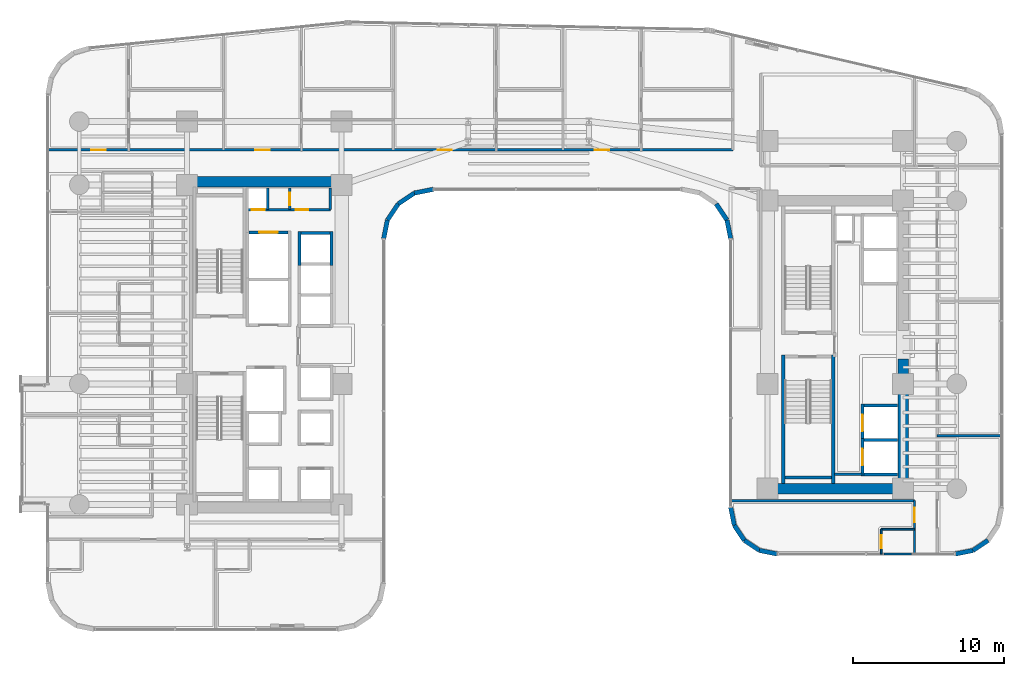
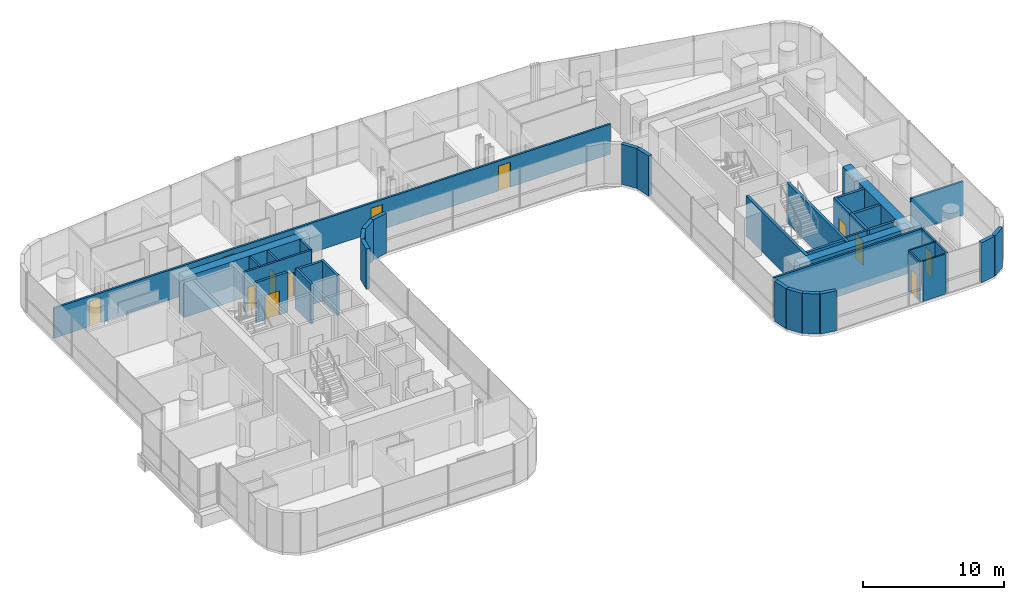
# One storey, part 32 of 41: 39 walls, 12 doors, 12 openings.
"""IFC4 building model written with IfcOpenShell, lengths in metres."""

from ifc_helpers import new_model, si_unit, direction, frame, frame_2d, origin, place, context, subcontext, project, spatial, rectangle, extrude, material, layer, layer_set, type_object, element, fill, save


model = new_model("IFC4")

# Units and contexts
model_context = context("Model", 3, precision=1e-05, world=origin(), true_north=direction((0.0, 1.0)))
body_context = subcontext(model_context, "Body", "Model", "MODEL_VIEW")
ifc_project = project(units=[si_unit("LENGTHUNIT", "METRE"), si_unit("AREAUNIT", "SQUARE_METRE"), si_unit("VOLUMEUNIT", "CUBIC_METRE"), si_unit("PLANEANGLEUNIT", "RADIAN"), si_unit("MASSUNIT", "GRAM", prefix="KILO")], contexts=[model_context])

# Site, building, storey
site_placement = place(None, origin())
site = spatial("IfcSite", under=ifc_project, at=site_placement, CompositionType="ELEMENT")
building_placement = place(site_placement, origin())
building = spatial("IfcBuilding", under=site, at=building_placement, Name="Valdorenza Pilgrim Sanctuary Tower", CompositionType="ELEMENT")
storey_placement = place(building_placement, frame((0.0, 0.0, 59.300048828125)))
storey = spatial("IfcBuildingStorey", under=building, at=storey_placement, Name="L14", CompositionType="ELEMENT", Elevation=59.300048828125)

# Wall, openings, doors
ifc_material_1 = material(Name="Acoustic twin-stud gypsum partition", Category="gypsum")
ifc_layer_1 = layer(ifc_material_1, 0.159912109375, Name="Acoustic twin-stud gypsum partition")
ifc_layer_set_1 = layer_set([ifc_layer_1], Name="Acoustic twin-stud gypsum partition")
wall_type_1 = type_object("IfcWallType", Name="WAL-COR-160", PredefinedType="PARTITIONING", material=ifc_layer_set_1)
wall_1_placement = place(storey_placement, frame((-18.64990234375, 8.949951171875, 0.0), z_axis=(0.0, 0.0, 1.0), x_axis=(1.0, 0.0, 0.0)))
wall_1 = element("IfcWall", 1, at=wall_1_placement, inside=storey, type_object=wall_type_1, Name="L14 Core A North Service South Wall", PredefinedType="PARTITIONING", context=body_context, shape_type="SweptSolid", body=[
    extrude(rectangle(XDim=5.5, YDim=0.159912109375, at=frame_2d((2.75, 0.0))), origin(), (0.0, 0.0, 1.0), 3.4599609375),
])
opening_1_placement = place(wall_1_placement, frame((0.300048828125, 0.0, 0.0)))
opening_1 = element("IfcOpeningElement", 2, at=opening_1_placement, cuts=wall_1, Name="Opening DR-RS1", PredefinedType="OPENING", context=body_context, shape_type="SweptSolid", body=[
    extrude(rectangle(XDim=0.85009765625, YDim=2.050048828125, at=frame_2d((0.425048828125, 1.02490234375))), frame((0.0, 0.0947265625, 0.0), z_axis=(0.0, -1.0, 0.0), x_axis=(1.0, 0.0, 0.0)), (0.0, 0.0, 1.0), 0.189697265625),
])
opening_2_placement = place(wall_1_placement, frame((3.199951171875, 0.0, 0.0)))
opening_2 = element("IfcOpeningElement", 3, at=opening_2_placement, cuts=wall_1, Name="Opening DR-RS1", PredefinedType="OPENING", context=body_context, shape_type="SweptSolid", body=[
    extrude(rectangle(XDim=0.85009765625, YDim=2.050048828125, at=frame_2d((0.425048828125, 1.02490234375))), frame((0.0, 0.0947265625, 0.0), z_axis=(0.0, -1.0, 0.0), x_axis=(1.0, 0.0, 0.0)), (0.0, 0.0, 1.0), 0.189697265625),
])
ifc_material_2 = material(Name="Painted galvanized steel", Category="steel")
door_type_1 = type_object("IfcDoorType", Name="DR-RSR-850", OperationType="NOTDEFINED", PredefinedType="DOOR", material=ifc_material_2)
door_1_placement = place(opening_1_placement, origin())
door_1 = element("IfcDoor", 4, at=door_1_placement, inside=storey, type_object=door_type_1, Name="L14 Core Electrical and Telecom Riser Door", OperationType="SINGLE_SWING_LEFT", OverallHeight=2.050048828125, OverallWidth=0.85009765625, PredefinedType="DOOR", context=body_context, shape_type="SweptSolid", body=[
    extrude(rectangle(XDim=0.85009765625, YDim=2.050048828125, at=frame_2d((0.425048828125, 1.02490234375))), frame((0.0, 0.02490234375, 0.0), z_axis=(0.0, -1.0, 0.0), x_axis=(1.0, 0.0, 0.0)), (0.0, 0.0, 1.0), 0.050048828125),
])
fill(opening_1, door_1)
door_2_placement = place(opening_2_placement, origin())
door_2 = element("IfcDoor", 5, at=door_2_placement, inside=storey, type_object=door_type_1, Name="L14 Housekeeping and Clean Linen Room Door", OperationType="SINGLE_SWING_RIGHT", OverallHeight=2.050048828125, OverallWidth=0.85009765625, PredefinedType="DOOR", context=body_context, shape_type="SweptSolid", body=[
    extrude(rectangle(XDim=0.85009765625, YDim=2.050048828125, at=frame_2d((0.425048828125, 1.02490234375))), frame((0.0, 0.02490234375, 0.0), z_axis=(0.0, -1.0, 0.0), x_axis=(1.0, 0.0, 0.0)), (0.0, 0.0, 1.0), 0.050048828125),
])
fill(opening_2, door_2)

# Walls
for number, where, z_axis, x_axis, name in (
    (6, (-13.14990234375, 8.949951171875, 0.0), (0.0, 0.0, 1.0), (0.0, 1.0, 0.0), "L14 Core A North Service East Wall"),
    (7, (-17.300048828125, 8.949951171875, 0.0), (0.0, 0.0, 1.0), (0.0, 1.0, 0.0), "L14 Core Electrical Riser Wall"),
):
    element("IfcWall", number, at=place(storey_placement, frame(where, z_axis=z_axis, x_axis=x_axis)), inside=storey, type_object=wall_type_1, Name=name, PredefinedType="PARTITIONING", context=body_context, shape_type="SweptSolid", body=[
        extrude(rectangle(XDim=1.429931640625, YDim=0.159912109375, at=frame_2d((0.71484375, 0.0))), origin(), (0.0, 0.0, 1.0), 3.4599609375),
    ])

# Wall, opening, door
wall_2_placement = place(storey_placement, frame((-15.85009765625, 8.949951171875, 0.0), z_axis=(0.0, 0.0, 1.0), x_axis=(0.0, 1.0, 0.0)))
wall_2 = element("IfcWall", 8, at=wall_2_placement, inside=storey, type_object=wall_type_1, Name="L14 Core A Split C", PredefinedType="PARTITIONING", context=body_context, shape_type="SweptSolid", body=[
    extrude(rectangle(XDim=1.429931640625, YDim=0.159912109375, at=frame_2d((0.71484375, 0.0))), origin(), (0.0, 0.0, 1.0), 3.4599609375),
])
opening_3_placement = place(wall_2_placement, frame((0.2900390625, 0.0, 0.0)))
opening_3 = element("IfcOpeningElement", 9, at=opening_3_placement, cuts=wall_2, Name="Opening DR-RS1", PredefinedType="OPENING", context=body_context, shape_type="SweptSolid", body=[
    extrude(rectangle(XDim=0.85009765625, YDim=2.050048828125, at=frame_2d((0.425048828125, 1.02490234375))), frame((0.0, 0.0947265625, 0.0), z_axis=(0.0, -1.0, 0.0), x_axis=(1.0, 0.0, 0.0)), (0.0, 0.0, 1.0), 0.189697265625),
])
door_3_placement = place(opening_3_placement, origin())
door_3 = element("IfcDoor", 10, at=door_3_placement, inside=storey, type_object=door_type_1, Name="L14 Clean Linen Supply Store Door", OperationType="SINGLE_SWING_LEFT", OverallHeight=2.050048828125, OverallWidth=0.85009765625, PredefinedType="DOOR", context=body_context, shape_type="SweptSolid", body=[
    extrude(rectangle(XDim=0.85009765625, YDim=2.050048828125, at=frame_2d((0.425048828125, 1.02490234375))), frame((0.0, 0.02490234375, 0.0), z_axis=(0.0, -1.0, 0.0), x_axis=(1.0, 0.0, 0.0)), (0.0, 0.0, 1.0), 0.050048828125),
])
fill(opening_3, door_3)

# Wall
wall_3_placement = place(storey_placement, frame((20.300048828125, -8.60009765625, 0.0), z_axis=(0.0, 0.0, 1.0), x_axis=(1.0, 0.0, 0.0)))
element("IfcWall", 11, at=wall_3_placement, inside=storey, type_object=wall_type_1, Name="L14 Core B Lift Hall South End Wall", PredefinedType="PARTITIONING", context=body_context, shape_type="SweptSolid", body=[
    extrude(rectangle(XDim=1.820068359375, YDim=0.159912109375, at=frame_2d((0.91015625, 0.0))), origin(), (0.0, 0.0, 1.0), 3.4599609375),
])

# Wall, openings, doors
wall_4_placement = place(storey_placement, frame((-31.889892578125, 12.919921875, 0.0), z_axis=(0.0, 0.0, 1.0), x_axis=(1.0, 0.0, 0.0)))
wall_4 = element("IfcWall", 12, at=wall_4_placement, inside=storey, type_object=wall_type_1, Name="L14 North Corridor Wall", PredefinedType="PARTITIONING", context=body_context, shape_type="SweptSolid", body=[
    extrude(rectangle(XDim=45.43994140625, YDim=0.159912109375, at=frame_2d((22.719970703125, 0.0))), origin(), (0.0, 0.0, 1.0), 2.5830078125),
])
opening_4_placement = place(wall_4_placement, frame((2.8798828125, 0.0, 0.0)))
opening_4 = element("IfcOpeningElement", 13, at=opening_4_placement, cuts=wall_4, Name="Opening DR-UN1", PredefinedType="OPENING", context=body_context, shape_type="SweptSolid", body=[
    extrude(rectangle(XDim=0.949951171875, YDim=2.14990234375, at=frame_2d((0.47509765625, 1.074951171875))), frame((0.0, 0.0947265625, 0.0), z_axis=(0.0, -1.0, 0.0), x_axis=(1.0, 0.0, 0.0)), (0.0, 0.0, 1.0), 0.189697265625),
])
opening_5_placement = place(wall_4_placement, frame((13.76806640625, 0.0, 0.0)))
opening_5 = element("IfcOpeningElement", 14, at=opening_5_placement, cuts=wall_4, Name="Opening DR-UN1", PredefinedType="OPENING", context=body_context, shape_type="SweptSolid", body=[
    extrude(rectangle(XDim=0.949951171875, YDim=2.14990234375, at=frame_2d((0.47509765625, 1.074951171875))), frame((0.0, 0.0947265625, 0.0), z_axis=(0.0, -1.0, 0.0), x_axis=(1.0, 0.0, 0.0)), (0.0, 0.0, 1.0), 0.189697265625),
])
opening_6_placement = place(wall_4_placement, frame((25.85498046875, 0.0, 0.0)))
opening_6 = element("IfcOpeningElement", 15, at=opening_6_placement, cuts=wall_4, Name="Opening DR-UN1", PredefinedType="OPENING", context=body_context, shape_type="SweptSolid", body=[
    extrude(rectangle(XDim=0.949951171875, YDim=2.14990234375, at=frame_2d((0.47509765625, 1.074951171875))), frame((0.0, 0.0947265625, 0.0), z_axis=(0.0, -1.0, 0.0), x_axis=(1.0, 0.0, 0.0)), (0.0, 0.0, 1.0), 0.189697265625),
])
opening_7_placement = place(wall_4_placement, frame((36.2919921875, 0.0, 0.0)))
opening_7 = element("IfcOpeningElement", 16, at=opening_7_placement, cuts=wall_4, Name="Opening DR-UN1", PredefinedType="OPENING", context=body_context, shape_type="SweptSolid", body=[
    extrude(rectangle(XDim=0.949951171875, YDim=2.14990234375, at=frame_2d((0.47509765625, 1.074951171875))), frame((0.0, 0.0947265625, 0.0), z_axis=(0.0, -1.0, 0.0), x_axis=(1.0, 0.0, 0.0)), (0.0, 0.0, 1.0), 0.189697265625),
])
ifc_material_3 = material(Name="Solid-core European oak timber", Category="wood")
door_type_2 = type_object("IfcDoorType", Name="DR-UNIT-950", OperationType="NOTDEFINED", PredefinedType="DOOR", material=ifc_material_3)
door_4_placement = place(opening_4_placement, frame((0.949951171875, 0.0, 0.0), z_axis=(0.0, 0.0, 1.0), x_axis=(-1.0, 0.0, 0.0)))
door_4 = element("IfcDoor", 17, at=door_4_placement, inside=storey, type_object=door_type_2, Name="L14 North Sanctuary Apartment L14-N1 Entrance Door", OperationType="SINGLE_SWING_LEFT", OverallHeight=2.14990234375, OverallWidth=0.949951171875, PredefinedType="DOOR", context=body_context, shape_type="SweptSolid", body=[
    extrude(rectangle(XDim=0.949951171875, YDim=2.14990234375, at=frame_2d((0.47509765625, 1.074951171875))), frame((0.0, 0.02490234375, 0.0), z_axis=(0.0, -1.0, 0.0), x_axis=(1.0, 0.0, 0.0)), (0.0, 0.0, 1.0), 0.050048828125),
])
fill(opening_4, door_4)
door_5_placement = place(opening_5_placement, frame((0.949951171875, 0.0, 0.0), z_axis=(0.0, 0.0, 1.0), x_axis=(-1.0, 0.0, 0.0)))
door_5 = element("IfcDoor", 18, at=door_5_placement, inside=storey, type_object=door_type_2, Name="L14 North Sanctuary Apartment L14-N2 Entrance Door", OperationType="SINGLE_SWING_LEFT", OverallHeight=2.14990234375, OverallWidth=0.949951171875, PredefinedType="DOOR", context=body_context, shape_type="SweptSolid", body=[
    extrude(rectangle(XDim=0.949951171875, YDim=2.14990234375, at=frame_2d((0.47509765625, 1.074951171875))), frame((0.0, 0.02490234375, 0.0), z_axis=(0.0, -1.0, 0.0), x_axis=(1.0, 0.0, 0.0)), (0.0, 0.0, 1.0), 0.050048828125),
])
fill(opening_5, door_5)
door_6_placement = place(opening_6_placement, frame((0.949951171875, 0.0, 0.0), z_axis=(0.0, 0.0, 1.0), x_axis=(-1.0, 0.0, 0.0)))
door_6 = element("IfcDoor", 19, at=door_6_placement, inside=storey, type_object=door_type_2, Name="L14 North Sanctuary Apartment L14-N3 Entrance Door", OperationType="SINGLE_SWING_LEFT", OverallHeight=2.14990234375, OverallWidth=0.949951171875, PredefinedType="DOOR", context=body_context, shape_type="SweptSolid", body=[
    extrude(rectangle(XDim=0.949951171875, YDim=2.14990234375, at=frame_2d((0.47509765625, 1.074951171875))), frame((0.0, 0.02490234375, 0.0), z_axis=(0.0, -1.0, 0.0), x_axis=(1.0, 0.0, 0.0)), (0.0, 0.0, 1.0), 0.050048828125),
])
fill(opening_6, door_6)
door_7_placement = place(opening_7_placement, frame((0.949951171875, 0.0, 0.0), z_axis=(0.0, 0.0, 1.0), x_axis=(-1.0, 0.0, 0.0)))
door_7 = element("IfcDoor", 20, at=door_7_placement, inside=storey, type_object=door_type_2, Name="L14 North Sanctuary Apartment L14-N4 Entrance Door", OperationType="SINGLE_SWING_LEFT", OverallHeight=2.14990234375, OverallWidth=0.949951171875, PredefinedType="DOOR", context=body_context, shape_type="SweptSolid", body=[
    extrude(rectangle(XDim=0.949951171875, YDim=2.14990234375, at=frame_2d((0.47509765625, 1.074951171875))), frame((0.0, 0.02490234375, 0.0), z_axis=(0.0, -1.0, 0.0), x_axis=(1.0, 0.0, 0.0)), (0.0, 0.0, 1.0), 0.050048828125),
])
fill(opening_7, door_7)

# Wall, opening, door
wall_5_placement = place(storey_placement, frame((25.60009765625, -13.889892578125, 0.0), z_axis=(0.0, 0.0, 1.0), x_axis=(0.0, 1.0, 0.0)))
wall_5 = element("IfcWall", 21, at=wall_5_placement, inside=storey, type_object=wall_type_1, Name="L14 Wing B South-East Corridor Wall", PredefinedType="PARTITIONING", context=body_context, shape_type="SweptSolid", body=[
    extrude(rectangle(XDim=3.539794921875, YDim=0.159912109375, at=frame_2d((1.77001953125, 0.0))), origin(), (0.0, 0.0, 1.0), 3.4599609375),
])
opening_8_placement = place(wall_5_placement, frame((2.1201171875, 0.0, 0.0)))
opening_8 = element("IfcOpeningElement", 22, at=opening_8_placement, cuts=wall_5, Name="Opening DR-UN1", PredefinedType="OPENING", context=body_context, shape_type="SweptSolid", body=[
    extrude(rectangle(XDim=0.949951171875, YDim=2.14990234375, at=frame_2d((0.47509765625, 1.074951171875))), frame((0.0, 0.0947265625, 0.0), z_axis=(0.0, -1.0, 0.0), x_axis=(1.0, 0.0, 0.0)), (0.0, 0.0, 1.0), 0.189697265625),
])
door_8_placement = place(opening_8_placement, origin())
door_8 = element("IfcDoor", 23, at=door_8_placement, inside=storey, type_object=door_type_2, Name="L14 East South Guest Room L14-ES1 Entrance Door", OperationType="SINGLE_SWING_RIGHT", OverallHeight=2.14990234375, OverallWidth=0.949951171875, PredefinedType="DOOR", context=body_context, shape_type="SweptSolid", body=[
    extrude(rectangle(XDim=0.949951171875, YDim=2.14990234375, at=frame_2d((0.47509765625, 1.074951171875))), frame((0.0, 0.02490234375, 0.0), z_axis=(0.0, -1.0, 0.0), x_axis=(1.0, 0.0, 0.0)), (0.0, 0.0, 1.0), 0.050048828125),
])
fill(opening_8, door_8)

# Walls
wall_6_placement = place(storey_placement, frame((13.409912109375, -10.35009765625, 0.0), z_axis=(0.0, 0.0, 1.0), x_axis=(1.0, 0.0, 0.0)))
element("IfcWall", 24, at=wall_6_placement, inside=storey, type_object=wall_type_1, Name="L14 Wing B South North Wall", PredefinedType="PARTITIONING", context=body_context, shape_type="SweptSolid", body=[
    extrude(rectangle(XDim=12.190185546875, YDim=0.159912109375, at=frame_2d((6.09521484375, 0.0))), origin(), (0.0, 0.0, 1.0), 3.4599609375),
])
ifc_material_4 = material(Name="Concrete C60/75", Category="concrete")
ifc_layer_2 = layer(ifc_material_4, 0.699951171875, Name="Concrete C60/75")
ifc_layer_set_2 = layer_set([ifc_layer_2], Name="Concrete C60/75")
wall_type_2 = type_object("IfcWallType", Name="WAL-COR-700", PredefinedType="SHEAR", material=ifc_layer_set_2)
wall_7_placement = place(storey_placement, frame((-22.64990234375, 10.800048828125, 0.0), z_axis=(0.0, 0.0, 1.0), x_axis=(1.0, 0.0, 0.0)))
element("IfcWall", 25, at=wall_7_placement, inside=storey, type_object=wall_type_2, Name="L14 Split Core A Shear Wall N", PredefinedType="SHEAR", context=body_context, shape_type="SweptSolid", body=[
    extrude(rectangle(XDim=10.25, YDim=0.699951171875, at=frame_2d((5.125, 0.0))), origin(), (0.0, 0.0, 1.0), 3.4599609375),
])
wall_8_placement = place(storey_placement, frame((24.85009765625, -9.89990234375, 0.0), z_axis=(0.0, 0.0, 1.0), x_axis=(0.0, 1.0, 0.0)))
element("IfcWall", 26, at=wall_8_placement, inside=storey, type_object=wall_type_2, Name="L14 Split Core B Shear Wall ES", PredefinedType="SHEAR", context=body_context, shape_type="SweptSolid", body=[
    extrude(rectangle(XDim=8.949951171875, YDim=0.699951171875, at=frame_2d((4.47509765625, 0.0))), origin(), (0.0, 0.0, 1.0), 3.4599609375),
])
wall_9_placement = place(storey_placement, frame((15.85009765625, -9.550048828125, 0.0), z_axis=(0.0, 0.0, 1.0), x_axis=(1.0, 0.0, 0.0)))
element("IfcWall", 27, at=wall_9_placement, inside=storey, type_object=wall_type_2, Name="L14 Split Core B Shear Wall S", PredefinedType="SHEAR", context=body_context, shape_type="SweptSolid", body=[
    extrude(rectangle(XDim=9.0, YDim=0.699951171875, at=frame_2d((4.5, 0.0))), origin(), (0.0, 0.0, 1.0), 3.4599609375),
])
ifc_material_5 = material(Name="Honed travertine limestone", Category="masonry")
ifc_layer_3 = layer(ifc_material_5, 0.300048828125, Name="Honed travertine limestone")
ifc_layer_set_3 = layer_set([ifc_layer_3], Name="Honed travertine limestone")
wall_type_3 = type_object("IfcWallType", Name="WAL-EXT-300", PredefinedType="SOLIDWALL", material=ifc_layer_set_3)
wall_10_placement = place(storey_placement, frame((30.4833984375, -12.9833984375, 0.0), z_axis=(0.0, 0.0, 1.0), x_axis=(-0.831426265255, -0.555635100982, 0.0)))
element("IfcWall", 28, at=wall_10_placement, inside=storey, type_object=wall_type_3, Name="L14 Rounded Wind-Corner Stone Pier 24", PredefinedType="SOLIDWALL", context=body_context, shape_type="SweptSolid", body=[
    extrude(rectangle(XDim=1.204833984375, YDim=0.300048828125, at=frame_2d((0.6025390625, 0.0))), origin(), (0.0, 0.0, 1.0), 3.4599609375),
])
for number, where, z_axis, x_axis, name in (
    (29, (29.481689453125, -13.65283203125, 0.0), (0.0, 0.0, 1.0), (-0.980804027463, -0.194996050505, 0.0), "L14 Rounded Wind-Corner Stone Pier 25"),
    (30, (16.5107421875, -13.889892578125, 0.0), (0.0, 0.0, 1.0), (-0.980804027463, 0.194996050505, 0.0), "L14 Rounded Wind-Corner Stone Pier 27"),
):
    element("IfcWall", number, at=place(storey_placement, frame(where, z_axis=z_axis, x_axis=x_axis)), inside=storey, type_object=wall_type_3, Name=name, PredefinedType="SOLIDWALL", context=body_context, shape_type="SweptSolid", body=[
        extrude(rectangle(XDim=1.2158203125, YDim=0.300048828125, at=frame_2d((0.60791015625, 0.0))), origin(), (0.0, 0.0, 1.0), 3.4599609375),
    ])
for number, where, z_axis, x_axis, name in (
    (31, (15.318359375, -13.65283203125, 0.0), (0.0, 0.0, 1.0), (-0.831426265255, 0.555635100982, 0.0), "L14 Rounded Wind-Corner Stone Pier 28"),
    (32, (14.316650390625, -12.9833984375, 0.0), (0.0, 0.0, 1.0), (-0.555635100982, 0.831426265255, 0.0), "L14 Rounded Wind-Corner Stone Pier 29"),
):
    element("IfcWall", number, at=place(storey_placement, frame(where, z_axis=z_axis, x_axis=x_axis)), inside=storey, type_object=wall_type_3, Name=name, PredefinedType="SOLIDWALL", context=body_context, shape_type="SweptSolid", body=[
        extrude(rectangle(XDim=1.204833984375, YDim=0.300048828125, at=frame_2d((0.6025390625, 0.0))), origin(), (0.0, 0.0, 1.0), 3.4599609375),
    ])
wall_11_placement = place(storey_placement, frame((13.647216796875, -11.981689453125, 0.0), z_axis=(0.0, 0.0, 1.0), x_axis=(-0.195189223115, 0.980765602568, 0.0)))
element("IfcWall", 33, at=wall_11_placement, inside=storey, type_object=wall_type_3, Name="L14 Rounded Wind-Corner Stone Pier 30", PredefinedType="SOLIDWALL", context=body_context, shape_type="SweptSolid", body=[
    extrude(rectangle(XDim=1.2158203125, YDim=0.300048828125, at=frame_2d((0.60791015625, 0.0))), origin(), (0.0, 0.0, 1.0), 3.4599609375),
])
wall_12_placement = place(storey_placement, frame((13.409912109375, 7.0107421875, 0.0), z_axis=(0.0, 0.0, 1.0), x_axis=(-0.195090163074, 0.980785312019, 0.0)))
element("IfcWall", 34, at=wall_12_placement, inside=storey, type_object=wall_type_3, Name="L14 Rounded Wind-Corner Stone Pier 32", PredefinedType="SOLIDWALL", context=body_context, shape_type="SweptSolid", body=[
    extrude(rectangle(XDim=1.281494140625, YDim=0.300048828125, at=frame_2d((0.640625, 0.0))), origin(), (0.0, 0.0, 1.0), 3.4599609375),
])
wall_13_placement = place(storey_placement, frame((13.159912109375, 8.267578125, 0.0), z_axis=(0.0, 0.0, 1.0), x_axis=(-0.555615398575, 0.831439431869, 0.0)))
element("IfcWall", 35, at=wall_13_placement, inside=storey, type_object=wall_type_3, Name="L14 Rounded Wind-Corner Stone Pier 33", PredefinedType="SOLIDWALL", context=body_context, shape_type="SweptSolid", body=[
    extrude(rectangle(XDim=1.292236328125, YDim=0.300048828125, at=frame_2d((0.64599609375, 0.0))), origin(), (0.0, 0.0, 1.0), 3.4599609375),
])
wall_14_placement = place(storey_placement, frame((-6.310791015625, 10.31005859375, 0.0), z_axis=(0.0, 0.0, 1.0), x_axis=(-0.980778058848, -0.195126623715, 0.0)))
element("IfcWall", 36, at=wall_14_placement, inside=storey, type_object=wall_type_3, Name="L14 Rounded Wind-Corner Stone Pier 37", PredefinedType="SOLIDWALL", context=body_context, shape_type="SweptSolid", body=[
    extrude(rectangle(XDim=1.28125, YDim=0.300048828125, at=frame_2d((0.640625, 0.0))), origin(), (0.0, 0.0, 1.0), 3.4599609375),
])
wall_15_placement = place(storey_placement, frame((-7.5673828125, 10.06005859375, 0.0), z_axis=(0.0, 0.0, 1.0), x_axis=(-0.831497739511, -0.555528135371, 0.0)))
element("IfcWall", 37, at=wall_15_placement, inside=storey, type_object=wall_type_3, Name="L14 Rounded Wind-Corner Stone Pier 38", PredefinedType="SOLIDWALL", context=body_context, shape_type="SweptSolid", body=[
    extrude(rectangle(XDim=1.29248046875, YDim=0.300048828125, at=frame_2d((0.646240234375, 0.0))), origin(), (0.0, 0.0, 1.0), 3.4599609375),
])
wall_16_placement = place(storey_placement, frame((-8.64208984375, 9.342041015625, 0.0), z_axis=(0.0, 0.0, 1.0), x_axis=(-0.555615398575, -0.831439431869, 0.0)))
element("IfcWall", 38, at=wall_16_placement, inside=storey, type_object=wall_type_3, Name="L14 Rounded Wind-Corner Stone Pier 39", PredefinedType="SOLIDWALL", context=body_context, shape_type="SweptSolid", body=[
    extrude(rectangle(XDim=1.292236328125, YDim=0.300048828125, at=frame_2d((0.64599609375, 0.0))), origin(), (0.0, 0.0, 1.0), 3.4599609375),
])
wall_17_placement = place(storey_placement, frame((-9.360107421875, 8.267578125, 0.0), z_axis=(0.0, 0.0, 1.0), x_axis=(-0.195090163074, -0.980785312019, 0.0)))
element("IfcWall", 39, at=wall_17_placement, inside=storey, type_object=wall_type_3, Name="L14 Rounded Wind-Corner Stone Pier 40", PredefinedType="SOLIDWALL", context=body_context, shape_type="SweptSolid", body=[
    extrude(rectangle(XDim=1.281494140625, YDim=0.300048828125, at=frame_2d((0.640625, 0.0))), origin(), (0.0, 0.0, 1.0), 3.4599609375),
])
ifc_material_6 = material(Name="Moisture-resistant gypsum partition", Category="gypsum")
ifc_layer_4 = layer(ifc_material_6, 0.1201171875, Name="Moisture-resistant gypsum partition")
ifc_layer_set_4 = layer_set([ifc_layer_4], Name="Moisture-resistant gypsum partition")
wall_type_4 = type_object("IfcWallType", Name="WAL-INT-120", PredefinedType="PARTITIONING", material=ifc_layer_set_4)
wall_18_placement = place(storey_placement, frame((23.39990234375, -12.239990234375, 0.0), z_axis=(0.0, 0.0, 1.0), x_axis=(1.0, 0.0, 0.0)))
element("IfcWall", 40, at=wall_18_placement, inside=storey, type_object=wall_type_4, Name="L14 East South Guest Room L14-ES1 En-suite North Wall", PredefinedType="PARTITIONING", context=body_context, shape_type="SweptSolid", body=[
    extrude(rectangle(XDim=2.2001953125, YDim=0.1201171875, at=frame_2d((1.10009765625, 0.0))), origin(), (0.0, 0.0, 1.0), 3.4599609375),
])

# Wall, opening, door
wall_19_placement = place(storey_placement, frame((23.39990234375, -13.889892578125, 0.0), z_axis=(0.0, 0.0, 1.0), x_axis=(0.0, 1.0, 0.0)))
wall_19 = element("IfcWall", 41, at=wall_19_placement, inside=storey, type_object=wall_type_4, Name="L14 East South Guest Room L14-ES1 En-suite Door Wall", PredefinedType="PARTITIONING", context=body_context, shape_type="SweptSolid", body=[
    extrude(rectangle(XDim=1.64990234375, YDim=0.1201171875, at=frame_2d((0.824951171875, 0.0))), origin(), (0.0, 0.0, 1.0), 3.4599609375),
])
opening_9_placement = place(wall_19_placement, frame((0.39990234375, 0.0, 0.0)))
opening_9 = element("IfcOpeningElement", 42, at=opening_9_placement, cuts=wall_19, Name="Opening DR-WC1", PredefinedType="OPENING", context=body_context, shape_type="SweptSolid", body=[
    extrude(rectangle(XDim=0.85009765625, YDim=2.10009765625, at=frame_2d((0.425048828125, 1.050048828125))), frame((0.0, 0.074951171875, 0.0), z_axis=(0.0, -1.0, 0.0), x_axis=(1.0, 0.0, 0.0)), (0.0, 0.0, 1.0), 0.14990234375),
])
ifc_material_7 = material(Name="Moisture-resistant lacquered timber", Category="wood")
door_type_3 = type_object("IfcDoorType", Name="DR-BATH-850", OperationType="NOTDEFINED", PredefinedType="DOOR", material=ifc_material_7)
door_9_placement = place(opening_9_placement, origin())
door_9 = element("IfcDoor", 43, at=door_9_placement, inside=storey, type_object=door_type_3, Name="L14 East South Guest Room L14-ES1 En-suite Bathroom Door", OperationType="SINGLE_SWING_LEFT", OverallHeight=2.10009765625, OverallWidth=0.85009765625, PredefinedType="DOOR", context=body_context, shape_type="SweptSolid", body=[
    extrude(rectangle(XDim=0.85009765625, YDim=2.10009765625, at=frame_2d((0.425048828125, 1.050048828125))), frame((0.0, 0.02490234375, 0.0), z_axis=(0.0, -1.0, 0.0), x_axis=(1.0, 0.0, 0.0)), (0.0, 0.0, 1.0), 0.050048828125),
])
fill(opening_9, door_9)

# Wall
wall_20_placement = place(storey_placement, frame((23.580078125, -13.889892578125, 0.0), z_axis=(0.0, 0.0, 1.0), x_axis=(1.0, 0.0, 0.0)))
element("IfcWall", 44, at=wall_20_placement, inside=storey, type_object=wall_type_4, Name="L14 WB-SG1-ENS Enclosure Wall S", PredefinedType="PARTITIONING", context=body_context, shape_type="SweptSolid", body=[
    extrude(rectangle(XDim=1.81982421875, YDim=0.1201171875, at=frame_2d((0.909912109375, 0.0))), origin(), (0.0, 0.0, 1.0), 3.4599609375),
])

# Wall, opening, door
ifc_material_8 = material(Name="Autoclaved aerated concrete blockwork", Category="masonry")
ifc_layer_5 = layer(ifc_material_8, 0.199951171875, Name="Autoclaved aerated concrete blockwork")
ifc_layer_set_5 = layer_set([ifc_layer_5], Name="Autoclaved aerated concrete blockwork")
wall_type_5 = type_object("IfcWallType", Name="WAL-SHF-200", PredefinedType="MOVABLE", material=ifc_layer_set_5)
wall_21_placement = place(storey_placement, frame((-18.550048828125, 7.449951171875, 0.0), z_axis=(0.0, 0.0, 1.0), x_axis=(1.0, 0.0, 0.0)))
wall_21 = element("IfcWall", 45, at=wall_21_placement, inside=storey, type_object=wall_type_5, Name="L14 Lift SVL-01 Hoistway Wall North", PredefinedType="MOVABLE", context=body_context, shape_type="SweptSolid", body=[
    extrude(rectangle(XDim=2.60009765625, YDim=0.199951171875, at=frame_2d((1.300048828125, 0.0))), origin(), (0.0, 0.0, 1.0), 3.4599609375),
])
opening_10_placement = place(wall_21_placement, frame((0.699951171875, 0.0, 0.0)))
opening_10 = element("IfcOpeningElement", 46, at=opening_10_placement, cuts=wall_21, Name="Opening LD-02", PredefinedType="OPENING", context=body_context, shape_type="SweptSolid", body=[
    extrude(rectangle(XDim=1.199951171875, YDim=2.10009765625, at=frame_2d((0.60009765625, 1.050048828125))), frame((0.0, 0.11474609375, 0.0), z_axis=(0.0, -1.0, 0.0), x_axis=(1.0, 0.0, 0.0)), (0.0, 0.0, 1.0), 0.229736328125),
])
ifc_material_9 = material(Name="Brushed stainless steel Grade 316", Category="steel")
door_type_4 = type_object("IfcDoorType", Name="DR-LFT-1200", OperationType="DOUBLE_DOOR_SLIDING", PredefinedType="DOOR", material=ifc_material_9)
door_10_placement = place(opening_10_placement, origin())
door_10 = element("IfcDoor", 47, at=door_10_placement, inside=storey, type_object=door_type_4, Name="L14 Lift SVL-01 Sliding Landing Door", OperationType="DOUBLE_DOOR_SLIDING", OverallHeight=2.10009765625, OverallWidth=1.199951171875, PredefinedType="DOOR", context=body_context, shape_type="SweptSolid", body=[
    extrude(rectangle(XDim=1.199951171875, YDim=2.10009765625, at=frame_2d((0.60009765625, 1.050048828125))), frame((0.0, 0.02490234375, 0.0), z_axis=(0.0, -1.0, 0.0), x_axis=(1.0, 0.0, 0.0)), (0.0, 0.0, 1.0), 0.050048828125),
])
fill(opening_10, door_10)

wall_22_placement = place(storey_placement, frame((22.14990234375, -8.699951171875, 0.0), z_axis=(0.0, 0.0, 1.0), x_axis=(0.0, 1.0, 0.0)))
wall_22 = element("IfcWall", 48, at=wall_22_placement, inside=storey, type_object=wall_type_5, Name="L14 Lift PL-03 Hoistway Wall West", PredefinedType="MOVABLE", context=body_context, shape_type="SweptSolid", body=[
    extrude(rectangle(XDim=2.474853515625, YDim=0.199951171875, at=frame_2d((1.2373046875, 0.0))), origin(), (0.0, 0.0, 1.0), 3.4599609375),
])
opening_11_placement = place(wall_22_placement, frame((0.6875, 0.0, 0.0)))
opening_11 = element("IfcOpeningElement", 49, at=opening_11_placement, cuts=wall_22, Name="Opening LD-01", PredefinedType="OPENING", context=body_context, shape_type="SweptSolid", body=[
    extrude(rectangle(XDim=1.10009765625, YDim=2.10009765625, at=frame_2d((0.550048828125, 1.050048828125))), frame((0.0, 0.11474609375, 0.0), z_axis=(0.0, -1.0, 0.0), x_axis=(1.0, 0.0, 0.0)), (0.0, 0.0, 1.0), 0.229736328125),
])
door_type_5 = type_object("IfcDoorType", Name="DR-LFT-1100", OperationType="DOUBLE_DOOR_SLIDING", PredefinedType="DOOR", material=ifc_material_9)
door_11_placement = place(opening_11_placement, origin())
door_11 = element("IfcDoor", 50, at=door_11_placement, inside=storey, type_object=door_type_5, Name="L14 Lift PL-03 Sliding Landing Door", OperationType="DOUBLE_DOOR_SLIDING", OverallHeight=2.10009765625, OverallWidth=1.10009765625, PredefinedType="DOOR", context=body_context, shape_type="SweptSolid", body=[
    extrude(rectangle(XDim=1.10009765625, YDim=2.10009765625, at=frame_2d((0.550048828125, 1.050048828125))), frame((0.0, 0.02490234375, 0.0), z_axis=(0.0, -1.0, 0.0), x_axis=(1.0, 0.0, 0.0)), (0.0, 0.0, 1.0), 0.050048828125),
])
fill(opening_11, door_11)

# Walls
for number, where, z_axis, x_axis, name in (
    (51, (22.25, -8.60009765625, 0.0), (0.0, 0.0, 1.0), (1.0, 0.0, 0.0), "L14 Lift PL-03 Hoistway Wall South"),
    (52, (22.25, -6.324951171875, 0.0), (0.0, 0.0, 1.0), (1.0, 0.0, 0.0), "L14 Lift PL-03 Hoistway Wall North"),
):
    element("IfcWall", number, at=place(storey_placement, frame(where, z_axis=z_axis, x_axis=x_axis)), inside=storey, type_object=wall_type_5, Name=name, PredefinedType="MOVABLE", context=body_context, shape_type="SweptSolid", body=[
        extrude(rectangle(XDim=2.22998046875, YDim=0.199951171875, at=frame_2d((1.114990234375, 0.0))), origin(), (0.0, 0.0, 1.0), 3.4599609375),
    ])

# Wall, opening, door
wall_23_placement = place(storey_placement, frame((22.14990234375, -6.425048828125, 0.0), z_axis=(0.0, 0.0, 1.0), x_axis=(0.0, 1.0, 0.0)))
wall_23 = element("IfcWall", 53, at=wall_23_placement, inside=storey, type_object=wall_type_5, Name="L14 Lift PL-04 Hoistway Wall West", PredefinedType="MOVABLE", context=body_context, shape_type="SweptSolid", body=[
    extrude(rectangle(XDim=2.47509765625, YDim=0.199951171875, at=frame_2d((1.237548828125, 0.0))), origin(), (0.0, 0.0, 1.0), 3.4599609375),
])
opening_12_placement = place(wall_23_placement, frame((0.6875, 0.0, 0.0)))
opening_12 = element("IfcOpeningElement", 54, at=opening_12_placement, cuts=wall_23, Name="Opening LD-01", PredefinedType="OPENING", context=body_context, shape_type="SweptSolid", body=[
    extrude(rectangle(XDim=1.10009765625, YDim=2.10009765625, at=frame_2d((0.550048828125, 1.050048828125))), frame((0.0, 0.11474609375, 0.0), z_axis=(0.0, -1.0, 0.0), x_axis=(1.0, 0.0, 0.0)), (0.0, 0.0, 1.0), 0.229736328125),
])
door_12_placement = place(opening_12_placement, origin())
door_12 = element("IfcDoor", 55, at=door_12_placement, inside=storey, type_object=door_type_5, Name="L14 Lift PL-04 Sliding Landing Door", OperationType="DOUBLE_DOOR_SLIDING", OverallHeight=2.10009765625, OverallWidth=1.10009765625, PredefinedType="DOOR", context=body_context, shape_type="SweptSolid", body=[
    extrude(rectangle(XDim=1.10009765625, YDim=2.10009765625, at=frame_2d((0.550048828125, 1.050048828125))), frame((0.0, 0.02490234375, 0.0), z_axis=(0.0, -1.0, 0.0), x_axis=(1.0, 0.0, 0.0)), (0.0, 0.0, 1.0), 0.050048828125),
])
fill(opening_12, door_12)

# Walls
wall_24_placement = place(storey_placement, frame((22.25, -4.050048828125, 0.0), z_axis=(0.0, 0.0, 1.0), x_axis=(1.0, 0.0, 0.0)))
element("IfcWall", 56, at=wall_24_placement, inside=storey, type_object=wall_type_5, Name="L14 Lift PL-04 Hoistway Wall North", PredefinedType="MOVABLE", context=body_context, shape_type="SweptSolid", body=[
    extrude(rectangle(XDim=2.22998046875, YDim=0.199951171875, at=frame_2d((1.114990234375, 0.0))), origin(), (0.0, 0.0, 1.0), 3.4599609375),
])
for number, where, z_axis, x_axis, name in (
    (57, (-15.199951171875, 5.25, 0.0), (0.0, 0.0, 1.0), (0.0, 1.0, 0.0), "L14 Lift PL-10 Hoistway Wall West"),
    (58, (-13.080078125, 5.25, 0.0), (0.0, 0.0, 1.0), (0.0, 1.0, 0.0), "L14 Lift PL-10 Hoistway Wall East"),
):
    element("IfcWall", number, at=place(storey_placement, frame(where, z_axis=z_axis, x_axis=x_axis)), inside=storey, type_object=wall_type_5, Name=name, PredefinedType="MOVABLE", context=body_context, shape_type="SweptSolid", body=[
        extrude(rectangle(XDim=2.25, YDim=0.199951171875, at=frame_2d((1.125, 0.0))), origin(), (0.0, 0.0, 1.0), 3.4599609375),
    ])
wall_25_placement = place(storey_placement, frame((-15.10009765625, 7.39990234375, 0.0), z_axis=(0.0, 0.0, 1.0), x_axis=(1.0, 0.0, 0.0)))
element("IfcWall", 59, at=wall_25_placement, inside=storey, type_object=wall_type_5, Name="L14 Lift PL-10 Hoistway Wall North", PredefinedType="MOVABLE", context=body_context, shape_type="SweptSolid", body=[
    extrude(rectangle(XDim=1.920166015625, YDim=0.199951171875, at=frame_2d((0.9599609375, 0.0))), origin(), (0.0, 0.0, 1.0), 3.4599609375),
])
ifc_material_10 = material(Name="Concrete C40/50", Category="concrete")
ifc_layer_6 = layer(ifc_material_10, 0.219970703125, Name="Concrete C40/50")
ifc_layer_set_6 = layer_set([ifc_layer_6], Name="Concrete C40/50")
wall_type_6 = type_object("IfcWallType", Name="WAL-STR-SHF-220", PredefinedType="SHEAR", material=ifc_layer_set_6)
for number, where, z_axis, x_axis, name in (
    (60, (16.889892578125, -9.199951171875, 0.0), (0.0, 0.0, 1.0), (0.0, 1.0, 0.0), "L14 ST-B2 Structural Stairwell Wall W"),
    (61, (20.219970703125, -9.199951171875, 0.0), (0.0, 0.0, 1.0), (0.0, 1.0, 0.0), "L14 ST-B2 Structural Stairwell Wall E"),
):
    element("IfcWall", number, at=place(storey_placement, frame(where, z_axis=z_axis, x_axis=x_axis)), inside=storey, type_object=wall_type_6, Name=name, PredefinedType="SHEAR", context=body_context, shape_type="SweptSolid", body=[
        extrude(rectangle(XDim=8.52001953125, YDim=0.219970703125, at=frame_2d((4.260009765625, 0.0))), origin(), (0.0, 0.0, 1.0), 3.4599609375),
    ])
wall_26_placement = place(storey_placement, frame((17.0, -8.81005859375, 0.0), z_axis=(0.0, 0.0, 1.0), x_axis=(1.0, 0.0, 0.0)))
element("IfcWall", 62, at=wall_26_placement, inside=storey, type_object=wall_type_6, Name="L14 ST-B2 Structural Stairwell Wall S", PredefinedType="SHEAR", context=body_context, shape_type="SweptSolid", body=[
    extrude(rectangle(XDim=3.110107421875, YDim=0.219970703125, at=frame_2d((1.55517578125, 0.0))), origin(), (0.0, 0.0, 1.0), 3.4599609375),
])
ifc_layer_7 = layer(ifc_material_1, 0.14990234375, Name="Acoustic twin-stud gypsum partition")
ifc_layer_set_7 = layer_set([ifc_layer_7], Name="Acoustic twin-stud gypsum partition")
wall_type_7 = type_object("IfcWallType", Name="WAL-UNT-150", PredefinedType="PARTITIONING", material=ifc_layer_set_7)
wall_27_placement = place(storey_placement, frame((27.10009765625, -6.050048828125, 0.0), z_axis=(0.0, 0.0, 1.0), x_axis=(1.0, 0.0, 0.0)))
element("IfcWall", 63, at=wall_27_placement, inside=storey, type_object=wall_type_7, Name="L14 East Reading Lounge L14-EB2 Demising Wall", PredefinedType="PARTITIONING", context=body_context, shape_type="SweptSolid", body=[
    extrude(rectangle(XDim=4.289794921875, YDim=0.14990234375, at=frame_2d((2.14501953125, 0.0))), origin(), (0.0, 0.0, 1.0), 2.89599609375),
])

save(model, "model.ifc")
